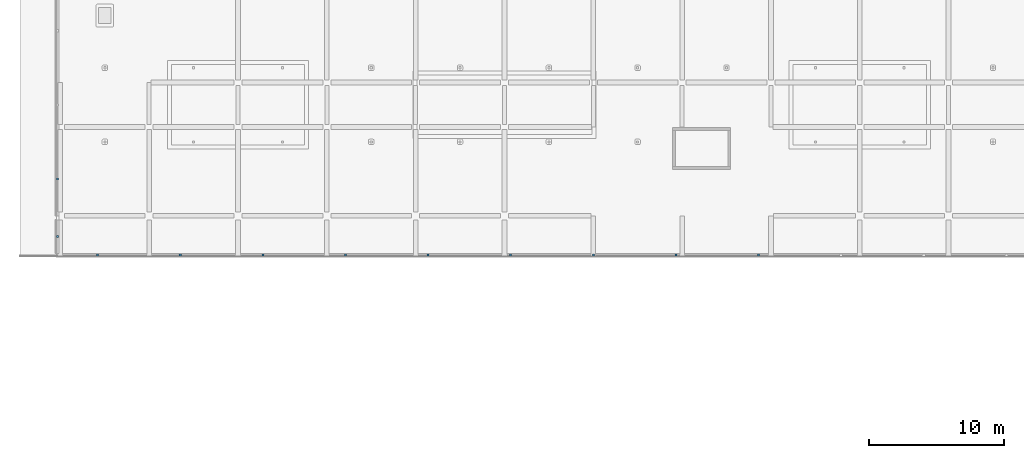
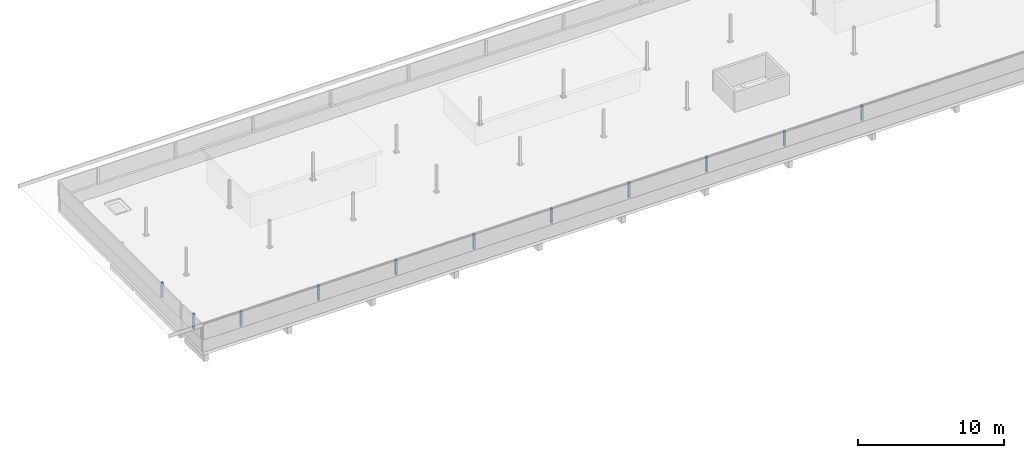
# One storey, part 27 of 61: 11 discrete accessories.
"""IFC4 building model written with IfcOpenShell, lengths in metres."""

from ifc_helpers import new_model, si_unit, direction, frame, origin, origin_2d, place, context, subcontext, project, spatial, rectangle, extrude, material, type_object, element, save


model = new_model("IFC4")

# Units and contexts
model_context = context("Model", 3, precision=1e-05, world=origin(), true_north=direction((0.0, 1.0)))
body_context = subcontext(model_context, "Body", "Model", "MODEL_VIEW")
ifc_project = project(units=[si_unit("LENGTHUNIT", "METRE"), si_unit("AREAUNIT", "SQUARE_METRE"), si_unit("VOLUMEUNIT", "CUBIC_METRE"), si_unit("PLANEANGLEUNIT", "RADIAN"), si_unit("MASSUNIT", "GRAM", prefix="KILO")], contexts=[model_context])

# Site, building, storey
site_placement = place(None, origin())
site = spatial("IfcSite", under=ifc_project, at=site_placement, CompositionType="ELEMENT")
building_placement = place(site_placement, origin())
building = spatial("IfcBuilding", under=site, at=building_placement, Name="Lantern Court Research Institute", CompositionType="ELEMENT")
storey_placement = place(building_placement, frame((0.0, 0.0, 23.39990234375)))
storey = spatial("IfcBuildingStorey", under=building, at=storey_placement, Name="L05", CompositionType="ELEMENT", Elevation=23.39990234375)

# Discrete accessories
ifc_material = material(Name="Structural steel S355", Category="steel")
discrete_accessory_type = type_object("IfcDiscreteAccessoryType", Name="Parasol roof post 150 x 150 steel", PredefinedType="BRACKET", material=ifc_material)
for number, where, z_axis, x_axis, name in (
    (1, (-0.199951171875, 85.25, 1.10009765625), (0.0, 0.0, 1.0), (1.0, 0.0, 0.0), "Parasol roof post V6 26"),
    (2, (-0.199951171875, 80.949951171875, 1.10009765625), (0.0, 0.0, 1.0), (1.0, 0.0, 0.0), "Parasol roof post V6 27"),
    (3, (2.769287109375, 79.60009765625, 1.10009765625), (0.0, 0.0, 1.0), (1.0, 0.0, 0.0), "Parasol roof post V6 28"),
    (4, (8.90771484375, 79.60009765625, 1.10009765625), (0.0, 0.0, 1.0), (1.0, 0.0, 0.0), "Parasol roof post V6 29"),
    (5, (15.046142578125, 79.60009765625, 1.10009765625), (0.0, 0.0, 1.0), (1.0, 0.0, 0.0), "Parasol roof post V6 30"),
    (6, (21.1845703125, 79.60009765625, 1.10009765625), (0.0, 0.0, 1.0), (1.0, 0.0, 0.0), "Parasol roof post V6 31"),
    (7, (27.322998046875, 79.60009765625, 1.10009765625), (0.0, 0.0, 1.0), (1.0, 0.0, 0.0), "Parasol roof post V6 32"),
    (8, (33.46142578125, 79.60009765625, 1.10009765625), (0.0, 0.0, 1.0), (1.0, 0.0, 0.0), "Parasol roof post V6 33"),
    (9, (39.60009765625, 79.60009765625, 1.10009765625), (0.0, 0.0, 1.0), (1.0, 0.0, 0.0), "Parasol roof post V6 34"),
    (10, (45.738525390625, 79.60009765625, 1.10009765625), (0.0, 0.0, 1.0), (1.0, 0.0, 0.0), "Parasol roof post V6 35"),
    (11, (51.876953125, 79.60009765625, 1.10009765625), (0.0, 0.0, 1.0), (1.0, 0.0, 0.0), "Parasol roof post V6 36"),
):
    element("IfcDiscreteAccessory", number, at=place(storey_placement, frame(where, z_axis=z_axis, x_axis=x_axis)), inside=storey, type_object=discrete_accessory_type, Name=name, PredefinedType="BRACKET", context=body_context, shape_type="SweptSolid", body=[
        extrude(rectangle(XDim=0.14990234375, YDim=0.14990234375, at=origin_2d()), origin(), (0.0, 0.0, 1.0), 1.27001953125),
    ])

save(model, "model.ifc")
